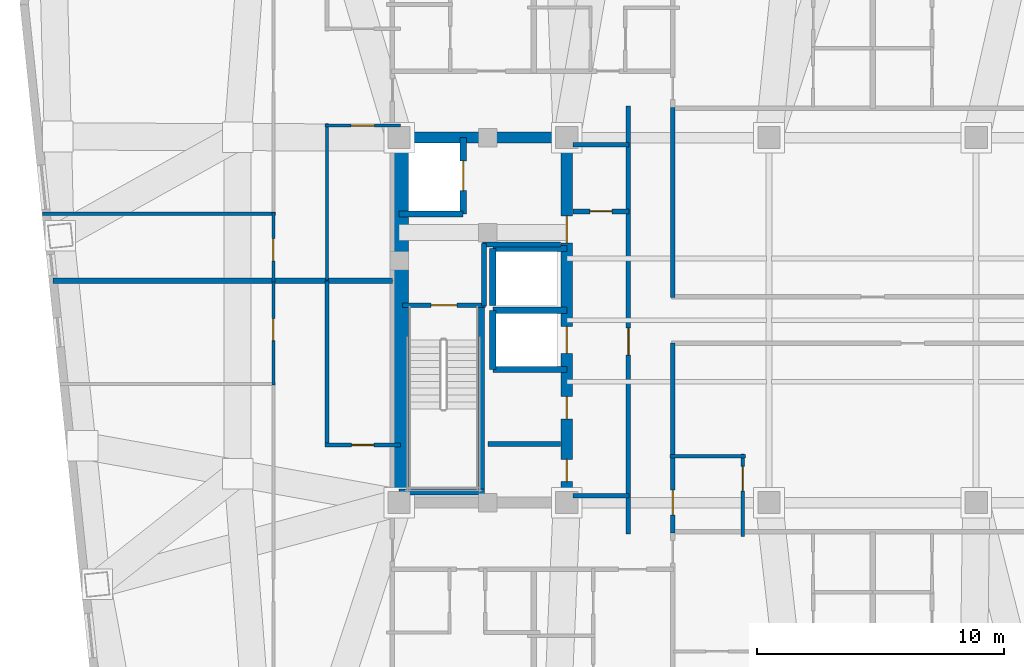
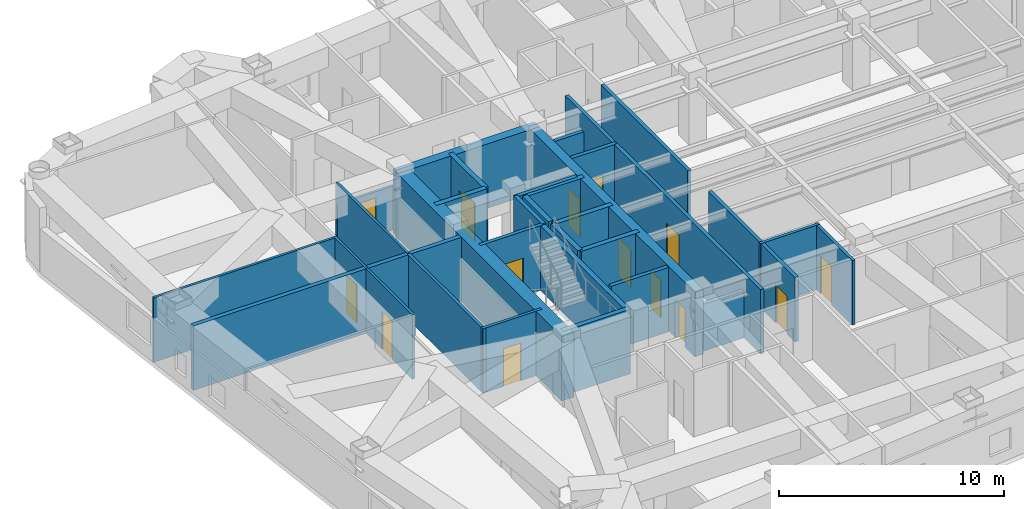
# One storey, part 5 of 13: 32 walls, 14 doors, 14 openings.
"""IFC4 building model written with IfcOpenShell, lengths in metres."""

from ifc_helpers import new_model, si_unit, direction, frame, frame_2d, origin, place, context, subcontext, project, spatial, rectangle, extrude, material, layer, layer_set, type_object, element, fill, save


model = new_model("IFC4")

# Units and contexts
model_context = context("Model", 3, precision=1e-05, world=origin(), true_north=direction((0.0, 1.0)))
body_context = subcontext(model_context, "Body", "Model", "MODEL_VIEW")
ifc_project = project(units=[si_unit("LENGTHUNIT", "METRE"), si_unit("AREAUNIT", "SQUARE_METRE"), si_unit("VOLUMEUNIT", "CUBIC_METRE"), si_unit("PLANEANGLEUNIT", "RADIAN"), si_unit("MASSUNIT", "GRAM", prefix="KILO")], contexts=[model_context])

# Site, building, storey
site_placement = place(None, origin())
site = spatial("IfcSite", under=ifc_project, at=site_placement, CompositionType="ELEMENT")
building_placement = place(site_placement, origin())
building = spatial("IfcBuilding", under=site, at=building_placement, Name="Voryun Gate Residences", CompositionType="ELEMENT")
storey_placement = place(building_placement, frame((0.0, 0.0, 191.10009765625)))
storey = spatial("IfcBuildingStorey", under=building, at=storey_placement, Name="L47", CompositionType="ELEMENT", Elevation=191.10009765625)

# Wall
ifc_material_1 = material(Name="Concrete C50/60", Category="concrete")
ifc_layer_1 = layer(ifc_material_1, 0.449951171875, Name="CW_CORE_450")
ifc_layer_set_1 = layer_set([ifc_layer_1], Name="Concrete C50/60")
wall_type_1 = type_object("IfcWallType", Name="CW_CORE_450", PredefinedType="SHEAR", material=ifc_layer_set_1)
wall_1_placement = place(storey_placement, frame((-19.425048828125, 7.39990234375, 0.0), z_axis=(0.0, 0.0, 1.0), x_axis=(1.0, 0.0, 0.0)))
element("IfcWall", 1, at=wall_1_placement, inside=storey, type_object=wall_type_1, Name="L47 Core shear wall CW-L47-WN", PredefinedType="SHEAR", context=body_context, shape_type="SweptSolid", body=[
    extrude(rectangle(XDim=7.25, YDim=0.449951171875, at=frame_2d((3.625, 0.0))), origin(), (0.0, 0.0, 1.0), 3.5),
])

# Wall, openings, doors
wall_2_placement = place(storey_placement, frame((-12.39990234375, -7.39990234375, 0.0), z_axis=(0.0, 0.0, 1.0), x_axis=(0.0, 1.0, 0.0)))
wall_2 = element("IfcWall", 2, at=wall_2_placement, inside=storey, type_object=wall_type_1, Name="L47 Core shear wall CW-L47-WE", PredefinedType="SHEAR", context=body_context, shape_type="SweptSolid", body=[
    extrude(rectangle(XDim=14.7998046875, YDim=0.449951171875, at=frame_2d((7.39990234375, 0.0))), origin(), (0.0, 0.0, 1.0), 3.5),
])
opening_1_placement = place(wall_2_placement, frame((6.050048828125, 0.0, 0.0)))
opening_1 = element("IfcOpeningElement", 3, at=opening_1_placement, cuts=wall_2, Name="Opening LD2", PredefinedType="OPENING", context=body_context, shape_type="SweptSolid", body=[
    extrude(rectangle(XDim=1.10009765625, YDim=2.050048828125, at=frame_2d((0.550048828125, 1.02490234375))), frame((0.0, 0.235107421875, 0.0), z_axis=(0.0, -1.0, 0.0), x_axis=(1.0, 0.0, 0.0)), (0.0, 0.0, 1.0), 0.469970703125),
])
opening_2_placement = place(wall_2_placement, frame((10.530029296875, 0.0, 0.0)))
opening_2 = element("IfcOpeningElement", 4, at=opening_2_placement, cuts=wall_2, Name="Opening D-FD60-2", PredefinedType="OPENING", context=body_context, shape_type="SweptSolid", body=[
    extrude(rectangle(XDim=1.10009765625, YDim=2.050048828125, at=frame_2d((0.550048828125, 1.02490234375))), frame((0.0, 0.235107421875, 0.0), z_axis=(0.0, -1.0, 0.0), x_axis=(1.0, 0.0, 0.0)), (0.0, 0.0, 1.0), 0.469970703125),
])
opening_3_placement = place(wall_2_placement, frame((0.85009765625, 0.0, 0.0)))
opening_3 = element("IfcOpeningElement", 5, at=opening_3_placement, cuts=wall_2, Name="Opening D-FD60-4", PredefinedType="OPENING", context=body_context, shape_type="SweptSolid", body=[
    extrude(rectangle(XDim=0.89990234375, YDim=2.050048828125, at=frame_2d((0.449951171875, 1.02490234375))), frame((0.0, 0.235107421875, 0.0), z_axis=(0.0, -1.0, 0.0), x_axis=(1.0, 0.0, 0.0)), (0.0, 0.0, 1.0), 0.469970703125),
])
opening_4_placement = place(wall_2_placement, frame((3.39990234375, 0.0, 0.0)))
opening_4 = element("IfcOpeningElement", 6, at=opening_4_placement, cuts=wall_2, Name="Opening D-FD60-4", PredefinedType="OPENING", context=body_context, shape_type="SweptSolid", body=[
    extrude(rectangle(XDim=0.89990234375, YDim=2.050048828125, at=frame_2d((0.449951171875, 1.02490234375))), frame((0.0, 0.235107421875, 0.0), z_axis=(0.0, -1.0, 0.0), x_axis=(1.0, 0.0, 0.0)), (0.0, 0.0, 1.0), 0.469970703125),
])
ifc_material_2 = material(Name="Painted steel fire door", Category="steel")
door_type_1 = type_object("IfcDoorType", Name="DR_FD60_FFLOB_1100", OperationType="NOTDEFINED", PredefinedType="DOOR", material=ifc_material_2)
door_1_placement = place(opening_2_placement, origin())
door_1 = element("IfcDoor", 7, at=door_1_placement, inside=storey, type_object=door_type_1, Name="Door DR-L47-CLOB-W", OperationType="SINGLE_SWING_LEFT", OverallHeight=2.050048828125, OverallWidth=1.10009765625, PredefinedType="DOOR", context=body_context, shape_type="SweptSolid", body=[
    extrude(rectangle(XDim=1.10009765625, YDim=2.050048828125, at=frame_2d((0.550048828125, 1.02490234375))), frame((0.0, 0.02490234375, 0.0), z_axis=(0.0, -1.0, 0.0), x_axis=(1.0, 0.0, 0.0)), (0.0, 0.0, 1.0), 0.050048828125),
])
fill(opening_2, door_1)
ifc_material_3 = material(Name="Painted steel fire door", Category="steel")
door_type_2 = type_object("IfcDoorType", Name="DR_FD60_RISER_900", OperationType="NOTDEFINED", PredefinedType="DOOR", material=ifc_material_3)
door_2_placement = place(opening_3_placement, origin())
door_2 = element("IfcDoor", 8, at=door_2_placement, inside=storey, type_object=door_type_2, Name="Door DR-L47-RECWB1", OperationType="SINGLE_SWING_LEFT", OverallHeight=2.050048828125, OverallWidth=0.89990234375, PredefinedType="DOOR", context=body_context, shape_type="SweptSolid", body=[
    extrude(rectangle(XDim=0.89990234375, YDim=2.050048828125, at=frame_2d((0.449951171875, 1.02490234375))), frame((0.0, 0.02490234375, 0.0), z_axis=(0.0, -1.0, 0.0), x_axis=(1.0, 0.0, 0.0)), (0.0, 0.0, 1.0), 0.050048828125),
])
fill(opening_3, door_2)
door_3_placement = place(opening_4_placement, origin())
door_3 = element("IfcDoor", 9, at=door_3_placement, inside=storey, type_object=door_type_2, Name="Door DR-L47-RECWB2", OperationType="SINGLE_SWING_RIGHT", OverallHeight=2.050048828125, OverallWidth=0.89990234375, PredefinedType="DOOR", context=body_context, shape_type="SweptSolid", body=[
    extrude(rectangle(XDim=0.89990234375, YDim=2.050048828125, at=frame_2d((0.449951171875, 1.02490234375))), frame((0.0, 0.02490234375, 0.0), z_axis=(0.0, -1.0, 0.0), x_axis=(1.0, 0.0, 0.0)), (0.0, 0.0, 1.0), 0.050048828125),
])
fill(opening_4, door_3)
ifc_material_4 = material(Name="Anodised aluminium", Category="aluminium")
door_type_3 = type_object("IfcDoorType", Name="DR_LD_PASS_1100", OperationType="NOTDEFINED", PredefinedType="DOOR", material=ifc_material_4)
door_4_placement = place(opening_1_placement, origin())
door_4 = element("IfcDoor", 10, at=door_4_placement, inside=storey, type_object=door_type_3, Name="Lift EL-P4 sliding landing door L47", OperationType="SLIDING_TO_LEFT", OverallHeight=2.050048828125, OverallWidth=1.10009765625, PredefinedType="DOOR", context=body_context, shape_type="SweptSolid", body=[
    extrude(rectangle(XDim=1.10009765625, YDim=2.050048828125, at=frame_2d((0.550048828125, 1.02490234375))), frame((0.0, 0.02490234375, 0.0), z_axis=(0.0, -1.0, 0.0), x_axis=(1.0, 0.0, 0.0)), (0.0, 0.0, 1.0), 0.050048828125),
])
fill(opening_1, door_4)

# Wall
ifc_material_5 = material(Name="Concrete C60/75", Category="concrete")
ifc_layer_2 = layer(ifc_material_5, 0.64990234375, Name="CW_CORE_650")
ifc_layer_set_2 = layer_set([ifc_layer_2], Name="Concrete C60/75")
wall_type_2 = type_object("IfcWallType", Name="CW_CORE_650", PredefinedType="SHEAR", material=ifc_layer_set_2)
wall_3_placement = place(storey_placement, frame((-19.14501953125, -7.39990234375, 0.0), z_axis=(0.0, 0.0, 1.0), x_axis=(0.0, 1.0, 0.0)))
element("IfcWall", 11, at=wall_3_placement, inside=storey, type_object=wall_type_2, Name="L47 Core shear wall CW-L47-WW", PredefinedType="SHEAR", context=body_context, shape_type="SweptSolid", body=[
    extrude(rectangle(XDim=14.7998046875, YDim=0.64990234375, at=frame_2d((7.39990234375, 0.0))), origin(), (0.0, 0.0, 1.0), 3.5),
])

# Wall, opening, door
ifc_material_6 = material(Name="Gypsum acoustic fireboard")
ifc_layer_3 = layer(ifc_material_6, 0.179931640625, Name="W_CORR_RATED_180")
ifc_layer_set_3 = layer_set([ifc_layer_3], Name="Gypsum acoustic fireboard")
wall_type_3 = type_object("IfcWallType", Name="W_CORR_RATED_180", PredefinedType="PARTITIONING", material=ifc_layer_set_3)
wall_4_placement = place(storey_placement, frame((-19.06005859375, 0.60009765625, 0.0), z_axis=(0.0, 0.0, 1.0), x_axis=(1.0, 0.0, 0.0)))
wall_4 = element("IfcWall", 12, at=wall_4_placement, inside=storey, type_object=wall_type_3, Name="Partition wall WP-L47-STV-W", PredefinedType="PARTITIONING", context=body_context, shape_type="SweptSolid", body=[
    extrude(rectangle(XDim=3.360107421875, YDim=0.179931640625, at=frame_2d((1.68017578125, 0.0))), origin(), (0.0, 0.0, 1.0), 3.5),
])
opening_5_placement = place(wall_4_placement, frame((1.155029296875, 0.0, 0.0)))
opening_5 = element("IfcOpeningElement", 13, at=opening_5_placement, cuts=wall_4, Name="Opening D-FD60-1", PredefinedType="OPENING", context=body_context, shape_type="SweptSolid", body=[
    extrude(rectangle(XDim=1.050048828125, YDim=2.050048828125, at=frame_2d((0.52490234375, 1.02490234375))), frame((0.0, 0.099853515625, 0.0), z_axis=(0.0, -1.0, 0.0), x_axis=(1.0, 0.0, 0.0)), (0.0, 0.0, 1.0), 0.199951171875),
])
ifc_material_7 = material(Name="Painted steel fire door", Category="steel")
door_type_4 = type_object("IfcDoorType", Name="DR_FD60_STAIR_1050", OperationType="NOTDEFINED", PredefinedType="DOOR", material=ifc_material_7)
door_5_placement = place(opening_5_placement, origin())
door_5 = element("IfcDoor", 14, at=door_5_placement, inside=storey, type_object=door_type_4, Name="Door DR-L47-ST-W", OperationType="SINGLE_SWING_LEFT", OverallHeight=2.050048828125, OverallWidth=1.050048828125, PredefinedType="DOOR", context=body_context, shape_type="SweptSolid", body=[
    extrude(rectangle(XDim=1.050048828125, YDim=2.050048828125, at=frame_2d((0.52490234375, 1.02490234375))), frame((0.0, 0.02490234375, 0.0), z_axis=(0.0, -1.0, 0.0), x_axis=(1.0, 0.0, 0.0)), (0.0, 0.0, 1.0), 0.050048828125),
])
fill(opening_5, door_5)

# Walls
for number, where, z_axis, x_axis, name in (
    (15, (-12.14990234375, 7.1201171875, 0.0), (0.0, 0.0, 1.0), (1.0, 0.0, 0.0), "Partition wall WP-L47-PLBN-W"),
    (16, (-12.14990234375, -7.1201171875, 0.0), (0.0, 0.0, 1.0), (1.0, 0.0, 0.0), "Partition wall WP-L47-PLBS-W"),
):
    element("IfcWall", number, at=place(storey_placement, frame(where, z_axis=z_axis, x_axis=x_axis)), inside=storey, type_object=wall_type_3, Name=name, PredefinedType="PARTITIONING", context=body_context, shape_type="SweptSolid", body=[
        extrude(rectangle(XDim=2.27001953125, YDim=0.179931640625, at=frame_2d((1.135009765625, 0.0))), origin(), (0.0, 0.0, 1.0), 2.539794921875),
    ])

# Wall, opening, door
wall_5_placement = place(storey_placement, frame((-9.89990234375, -8.679931640625, 0.0), z_axis=(0.0, 0.0, 1.0), x_axis=(0.0, 1.0, 0.0)))
wall_5 = element("IfcWall", 17, at=wall_5_placement, inside=storey, type_object=wall_type_3, Name="Partition wall WP-L47-PLBW-FULL", PredefinedType="PARTITIONING", context=body_context, shape_type="SweptSolid", body=[
    extrude(rectangle(XDim=17.35986328125, YDim=0.179931640625, at=frame_2d((8.679931640625, 0.0))), origin(), (0.0, 0.0, 1.0), 3.5),
])
opening_6_placement = place(wall_5_placement, frame((7.261962890625, 0.0, 0.0)))
opening_6 = element("IfcOpeningElement", 18, at=opening_6_placement, cuts=wall_5, Name="Opening D-FD60-2", PredefinedType="OPENING", context=body_context, shape_type="SweptSolid", body=[
    extrude(rectangle(XDim=1.10009765625, YDim=2.050048828125, at=frame_2d((0.550048828125, 1.02490234375))), frame((0.0, 0.099853515625, 0.0), z_axis=(0.0, -1.0, 0.0), x_axis=(1.0, 0.0, 0.0)), (0.0, 0.0, 1.0), 0.199951171875),
])
door_6_placement = place(opening_6_placement, origin())
door_6 = element("IfcDoor", 19, at=door_6_placement, inside=storey, type_object=door_type_1, Name="Door DR-L47-PLBW-COR", OperationType="SINGLE_SWING_LEFT", OverallHeight=2.050048828125, OverallWidth=1.10009765625, PredefinedType="DOOR", context=body_context, shape_type="SweptSolid", body=[
    extrude(rectangle(XDim=1.10009765625, YDim=2.050048828125, at=frame_2d((0.550048828125, 1.02490234375))), frame((0.0, 0.02490234375, 0.0), z_axis=(0.0, -1.0, 0.0), x_axis=(1.0, 0.0, 0.0)), (0.0, 0.0, 1.0), 0.050048828125),
])
fill(opening_6, door_6)

# Wall
wall_6_placement = place(storey_placement, frame((-8.10009765625, 0.919921875, 0.0), z_axis=(0.0, 0.0, 1.0), x_axis=(0.0, 1.0, 0.0)))
element("IfcWall", 20, at=wall_6_placement, inside=storey, type_object=wall_type_3, Name="Partition wall WP-L47-Z2WL1", PredefinedType="PARTITIONING", context=body_context, shape_type="SweptSolid", body=[
    extrude(rectangle(XDim=7.7099609375, YDim=0.179931640625, at=frame_2d((3.85498046875, 0.0))), origin(), (0.0, 0.0, 1.0), 3.5),
])

# Wall, opening, door
wall_7_placement = place(storey_placement, frame((-8.10009765625, -8.6298828125, 0.0), z_axis=(0.0, 0.0, 1.0), x_axis=(0.0, 1.0, 0.0)))
wall_7 = element("IfcWall", 21, at=wall_7_placement, inside=storey, type_object=wall_type_3, Name="Partition wall WP-L47-Z2WL2", PredefinedType="PARTITIONING", context=body_context, shape_type="SweptSolid", body=[
    extrude(rectangle(XDim=7.7099609375, YDim=0.179931640625, at=frame_2d((3.85498046875, 0.0))), origin(), (0.0, 0.0, 1.0), 3.5),
])
opening_7_placement = place(wall_7_placement, frame((0.733642578125, 0.0, 0.0)))
opening_7 = element("IfcOpeningElement", 22, at=opening_7_placement, cuts=wall_7, Name="Opening D-AWC-1", PredefinedType="OPENING", context=body_context, shape_type="SweptSolid", body=[
    extrude(rectangle(XDim=1.0, YDim=2.050048828125, at=frame_2d((0.5, 1.02490234375))), frame((0.0, 0.099853515625, 0.0), z_axis=(0.0, -1.0, 0.0), x_axis=(1.0, 0.0, 0.0)), (0.0, 0.0, 1.0), 0.199951171875),
])
ifc_material_8 = material(Name="Architectural oak veneer")
door_type_5 = type_object("IfcDoorType", Name="DR_ACC_WC_1000", OperationType="NOTDEFINED", PredefinedType="DOOR", material=ifc_material_8)
door_7_placement = place(opening_7_placement, origin())
door_7 = element("IfcDoor", 23, at=door_7_placement, inside=storey, type_object=door_type_5, Name="Door DR-L47-CMWC-D", OperationType="SINGLE_SWING_LEFT", OverallHeight=2.050048828125, OverallWidth=1.0, PredefinedType="DOOR", context=body_context, shape_type="SweptSolid", body=[
    extrude(rectangle(XDim=1.0, YDim=2.050048828125, at=frame_2d((0.5, 1.02490234375))), frame((0.0, 0.02490234375, 0.0), z_axis=(0.0, -1.0, 0.0), x_axis=(1.0, 0.0, 0.0)), (0.0, 0.0, 1.0), 0.050048828125),
])
fill(opening_7, door_7)

# Walls
ifc_material_9 = material(Name="Concrete C40/50", Category="concrete")
ifc_layer_4 = layer(ifc_material_9, 0.199951171875, Name="W_FF_LOBBY_200")
ifc_layer_set_4 = layer_set([ifc_layer_4], Name="Concrete C40/50")
wall_type_4 = type_object("IfcWallType", Name="W_FF_LOBBY_200", PredefinedType="PARTITIONING", material=ifc_layer_set_4)
wall_8_placement = place(storey_placement, frame((-15.760009765625, 0.580078125, 0.0), z_axis=(0.0, 0.0, 1.0), x_axis=(0.0, 1.0, 0.0)))
element("IfcWall", 24, at=wall_8_placement, inside=storey, type_object=wall_type_4, Name="Partition wall WP-L47-FFP0-W", PredefinedType="PARTITIONING", context=body_context, shape_type="SweptSolid", body=[
    extrude(rectangle(XDim=2.52001953125, YDim=0.199951171875, at=frame_2d((1.260009765625, 0.0))), origin(), (0.0, 0.0, 1.0), 3.5),
])
wall_9_placement = place(storey_placement, frame((-15.820068359375, 3.06005859375, 0.0), z_axis=(0.0, 0.0, 1.0), x_axis=(1.0, 0.0, 0.0)))
element("IfcWall", 25, at=wall_9_placement, inside=storey, type_object=wall_type_4, Name="Partition wall WP-L47-FFPS-W", PredefinedType="PARTITIONING", context=body_context, shape_type="SweptSolid", body=[
    extrude(rectangle(XDim=3.16015625, YDim=0.199951171875, at=frame_2d((1.580078125, 0.0))), origin(), (0.0, 0.0, 1.0), 3.5),
])
wall_10_placement = place(storey_placement, frame((-15.60009765625, -5.030029296875, 0.0), z_axis=(0.0, 0.0, 1.0), x_axis=(1.0, 0.0, 0.0)))
element("IfcWall", 26, at=wall_10_placement, inside=storey, type_object=wall_type_4, Name="Partition wall WP-L47-RECWB", PredefinedType="PARTITIONING", context=body_context, shape_type="SweptSolid", body=[
    extrude(rectangle(XDim=2.940185546875, YDim=0.199951171875, at=frame_2d((1.47021484375, 0.0))), origin(), (0.0, 0.0, 1.0), 3.5),
])

# Wall, opening, door
wall_11_placement = place(storey_placement, frame((-12.14990234375, 4.409912109375, 0.0), z_axis=(0.0, 0.0, 1.0), x_axis=(1.0, 0.0, 0.0)))
wall_11 = element("IfcWall", 27, at=wall_11_placement, inside=storey, type_object=wall_type_4, Name="Partition wall WP-L47-CSFLKS-W", PredefinedType="PARTITIONING", context=body_context, shape_type="SweptSolid", body=[
    extrude(rectangle(XDim=2.27001953125, YDim=0.199951171875, at=frame_2d((1.135009765625, 0.0))), origin(), (0.0, 0.0, 1.0), 3.5),
])
opening_8_placement = place(wall_11_placement, frame((0.68505859375, 0.0, 0.0)))
opening_8 = element("IfcOpeningElement", 28, at=opening_8_placement, cuts=wall_11, Name="Opening D-FD60-4", PredefinedType="OPENING", context=body_context, shape_type="SweptSolid", body=[
    extrude(rectangle(XDim=0.89990234375, YDim=2.050048828125, at=frame_2d((0.449951171875, 1.02490234375))), frame((0.0, 0.110107421875, 0.0), z_axis=(0.0, -1.0, 0.0), x_axis=(1.0, 0.0, 0.0)), (0.0, 0.0, 1.0), 0.219970703125),
])
door_8_placement = place(opening_8_placement, origin())
door_8 = element("IfcDoor", 29, at=door_8_placement, inside=storey, type_object=door_type_2, Name="Door DR-L47-CSFLK-W", OperationType="SINGLE_SWING_LEFT", OverallHeight=2.050048828125, OverallWidth=0.89990234375, PredefinedType="DOOR", context=body_context, shape_type="SweptSolid", body=[
    extrude(rectangle(XDim=0.89990234375, YDim=2.050048828125, at=frame_2d((0.449951171875, 1.02490234375))), frame((0.0, 0.02490234375, 0.0), z_axis=(0.0, -1.0, 0.0), x_axis=(1.0, 0.0, 0.0)), (0.0, 0.0, 1.0), 0.050048828125),
])
fill(opening_8, door_8)

# Walls
ifc_material_10 = material(Name="Concrete C40/50", Category="concrete")
ifc_layer_5 = layer(ifc_material_10, 0.219970703125, Name="W_PARTY_ACOUSTIC_220")
ifc_layer_set_5 = layer_set([ifc_layer_5], Name="Concrete C40/50")
wall_type_5 = type_object("IfcWallType", Name="W_PARTY_ACOUSTIC_220", PredefinedType="PARTITIONING", material=ifc_layer_set_5)
wall_12_placement = place(storey_placement, frame((-19.469970703125, 1.60009765625, 0.0), z_axis=(0.0, 0.0, 1.0), x_axis=(-1.0, 0.0, 0.0)))
element("IfcWall", 30, at=wall_12_placement, inside=storey, type_object=wall_type_5, Name="Partition wall WP-L47-WPTY", PredefinedType="PARTITIONING", context=body_context, shape_type="SweptSolid", body=[
    extrude(rectangle(XDim=13.75439453125, YDim=0.219970703125, at=frame_2d((6.877197265625, 0.0))), origin(), (0.0, 0.0, 1.0), 3.5),
])
ifc_material_11 = material(Name="Concrete C50/60", Category="concrete")
ifc_layer_6 = layer(ifc_material_11, 0.25, Name="W_SHAFT_RC250")
ifc_layer_set_6 = layer_set([ifc_layer_6], Name="Concrete C50/60")
wall_type_6 = type_object("IfcWallType", Name="W_SHAFT_RC250", PredefinedType="SOLIDWALL", material=ifc_layer_set_6)
wall_13_placement = place(storey_placement, frame((-15.860107421875, -7.0849609375, 0.0), z_axis=(0.0, 0.0, 1.0), x_axis=(0.0, 1.0, 0.0)))
element("IfcWall", 31, at=wall_13_placement, inside=storey, type_object=wall_type_6, Name="L47 Stair shaft structural wall W-STR", PredefinedType="SOLIDWALL", context=body_context, shape_type="SweptSolid", body=[
    extrude(rectangle(XDim=7.68505859375, YDim=0.25, at=frame_2d((3.842529296875, 0.0))), origin(), (0.0, 0.0, 1.0), 3.5),
])
wall_14_placement = place(storey_placement, frame((-19.199951171875, -6.965087890625, 0.0), z_axis=(0.0, 0.0, 1.0), x_axis=(1.0, 0.0, 0.0)))
element("IfcWall", 32, at=wall_14_placement, inside=storey, type_object=wall_type_6, Name="L47 Stair shaft structural wall W-STS", PredefinedType="SOLIDWALL", context=body_context, shape_type="SweptSolid", body=[
    extrude(rectangle(XDim=3.4599609375, YDim=0.25, at=frame_2d((1.72998046875, 0.0))), origin(), (0.0, 0.0, 1.0), 3.5),
])
wall_15_placement = place(storey_placement, frame((-19.199951171875, 4.300048828125, 0.0), z_axis=(0.0, 0.0, 1.0), x_axis=(1.0, 0.0, 0.0)))
element("IfcWall", 33, at=wall_15_placement, inside=storey, type_object=wall_type_6, Name="Lift shaft wall WSH-L47-EL-FF-W1-S", PredefinedType="SOLIDWALL", context=body_context, shape_type="SweptSolid", body=[
    extrude(rectangle(XDim=2.599853515625, YDim=0.25, at=frame_2d((1.2998046875, 0.0))), origin(), (0.0, 0.0, 1.0), 3.5),
])

# Wall, opening, door
wall_16_placement = place(storey_placement, frame((-16.60009765625, 4.300048828125, 0.0), z_axis=(0.0, 0.0, 1.0), x_axis=(0.0, 1.0, 0.0)))
wall_16 = element("IfcWall", 34, at=wall_16_placement, inside=storey, type_object=wall_type_6, Name="Lift shaft wall WSH-L47-EL-FF-W1-E", PredefinedType="SOLIDWALL", context=body_context, shape_type="SweptSolid", body=[
    extrude(rectangle(XDim=3.099853515625, YDim=0.25, at=frame_2d((1.5498046875, 0.0))), origin(), (0.0, 0.0, 1.0), 3.5),
])
opening_9_placement = place(wall_16_placement, frame((0.949951171875, 0.0, 0.0)))
opening_9 = element("IfcOpeningElement", 35, at=opening_9_placement, cuts=wall_16, Name="Opening LD1", PredefinedType="OPENING", context=body_context, shape_type="SweptSolid", body=[
    extrude(rectangle(XDim=1.199951171875, YDim=2.050048828125, at=frame_2d((0.60009765625, 1.02490234375))), frame((0.0, 0.135009765625, 0.0), z_axis=(0.0, -1.0, 0.0), x_axis=(1.0, 0.0, 0.0)), (0.0, 0.0, 1.0), 0.27001953125),
])
ifc_material_12 = material(Name="Anodised aluminium", Category="aluminium")
door_type_6 = type_object("IfcDoorType", Name="DR_LD_FF_1200", OperationType="NOTDEFINED", PredefinedType="DOOR", material=ifc_material_12)
door_9_placement = place(opening_9_placement, origin())
door_9 = element("IfcDoor", 36, at=door_9_placement, inside=storey, type_object=door_type_6, Name="Lift EL-FF-W1 sliding landing door L47", OperationType="SLIDING_TO_LEFT", OverallHeight=2.050048828125, OverallWidth=1.199951171875, PredefinedType="DOOR", context=body_context, shape_type="SweptSolid", body=[
    extrude(rectangle(XDim=1.199951171875, YDim=2.050048828125, at=frame_2d((0.60009765625, 1.02490234375))), frame((0.0, 0.02490234375, 0.0), z_axis=(0.0, -1.0, 0.0), x_axis=(1.0, 0.0, 0.0)), (0.0, 0.0, 1.0), 0.050048828125),
])
fill(opening_9, door_9)

# Walls
for number, where, z_axis, x_axis, name in (
    (37, (-15.39990234375, -2.0, 0.0), (0.0, 0.0, 1.0), (1.0, 0.0, 0.0), "Lift shaft wall WSH-L47-EL-P4-S"),
    (38, (-12.39990234375, 0.39990234375, 0.0), (0.0, 0.0, 1.0), (-1.0, 0.0, 0.0), "Lift shaft wall WSH-L47-EL-P4-N"),
):
    element("IfcWall", number, at=place(storey_placement, frame(where, z_axis=z_axis, x_axis=x_axis)), inside=storey, type_object=wall_type_6, Name=name, PredefinedType="SOLIDWALL", context=body_context, shape_type="SweptSolid", body=[
        extrude(rectangle(XDim=3.0, YDim=0.25, at=frame_2d((1.5, 0.0))), origin(), (0.0, 0.0, 1.0), 3.5),
    ])
wall_17_placement = place(storey_placement, frame((-15.39990234375, 0.39990234375, 0.0), z_axis=(0.0, 0.0, 1.0), x_axis=(0.0, -1.0, 0.0)))
element("IfcWall", 39, at=wall_17_placement, inside=storey, type_object=wall_type_6, Name="Lift shaft wall WSH-L47-EL-P4-W", PredefinedType="SOLIDWALL", context=body_context, shape_type="SweptSolid", body=[
    extrude(rectangle(XDim=2.39990234375, YDim=0.25, at=frame_2d((1.199951171875, 0.0))), origin(), (0.0, 0.0, 1.0), 3.5),
])
wall_18_placement = place(storey_placement, frame((-12.39990234375, 2.89990234375, 0.0), z_axis=(0.0, 0.0, 1.0), x_axis=(-1.0, 0.0, 0.0)))
element("IfcWall", 40, at=wall_18_placement, inside=storey, type_object=wall_type_6, Name="Lift shaft wall WSH-L47-EL-P7-N", PredefinedType="SOLIDWALL", context=body_context, shape_type="SweptSolid", body=[
    extrude(rectangle(XDim=3.0, YDim=0.25, at=frame_2d((1.5, 0.0))), origin(), (0.0, 0.0, 1.0), 3.5),
])
wall_19_placement = place(storey_placement, frame((-15.39990234375, 2.89990234375, 0.0), z_axis=(0.0, 0.0, 1.0), x_axis=(0.0, -1.0, 0.0)))
element("IfcWall", 41, at=wall_19_placement, inside=storey, type_object=wall_type_6, Name="Lift shaft wall WSH-L47-EL-P7-W", PredefinedType="SOLIDWALL", context=body_context, shape_type="SweptSolid", body=[
    extrude(rectangle(XDim=2.2998046875, YDim=0.25, at=frame_2d((1.14990234375, 0.0))), origin(), (0.0, 0.0, 1.0), 3.5),
])

# Wall, opening, door
ifc_material_13 = material(Name="Gypsum acoustic partition")
ifc_layer_7 = layer(ifc_material_13, 0.125, Name="W_UNIT_PART_125")
ifc_layer_set_7 = layer_set([ifc_layer_7], Name="Gypsum acoustic partition")
wall_type_7 = type_object("IfcWallType", Name="W_UNIT_PART_125", PredefinedType="PARTITIONING", material=ifc_layer_set_7)
wall_20_placement = place(storey_placement, frame((-24.300048828125, -2.632080078125, 0.0), z_axis=(0.0, 0.0, 1.0), x_axis=(0.0, 1.0, 0.0)))
wall_20 = element("IfcWall", 42, at=wall_20_placement, inside=storey, type_object=wall_type_7, Name="Partition wall WP-L47-W1-OVX3", PredefinedType="PARTITIONING", context=body_context, shape_type="SweptSolid", body=[
    extrude(rectangle(XDim=4.294677734375, YDim=0.125, at=frame_2d((2.1474609375, 0.0))), origin(), (0.0, 0.0, 1.0), 3.5),
])
opening_10_placement = place(wall_20_placement, frame((1.7958984375, 0.0, 0.0)))
opening_10 = element("IfcOpeningElement", 43, at=opening_10_placement, cuts=wall_20, Name="Opening D-INT-2", PredefinedType="OPENING", context=body_context, shape_type="SweptSolid", body=[
    extrude(rectangle(XDim=0.89990234375, YDim=2.050048828125, at=frame_2d((0.449951171875, 1.02490234375))), frame((0.0, 0.072509765625, 0.0), z_axis=(0.0, -1.0, 0.0), x_axis=(1.0, 0.0, 0.0)), (0.0, 0.0, 1.0), 0.14501953125),
])
ifc_material_14 = material(Name="Architectural oak veneer")
door_type_7 = type_object("IfcDoorType", Name="DR_INT_BATH_900", OperationType="NOTDEFINED", PredefinedType="DOOR", material=ifc_material_14)
door_10_placement = place(opening_10_placement, origin())
door_10 = element("IfcDoor", 44, at=door_10_placement, inside=storey, type_object=door_type_7, Name="Door DR-L47-W1-DMB", OperationType="SINGLE_SWING_LEFT", OverallHeight=2.050048828125, OverallWidth=0.89990234375, PredefinedType="DOOR", context=body_context, shape_type="SweptSolid", body=[
    extrude(rectangle(XDim=0.89990234375, YDim=2.050048828125, at=frame_2d((0.449951171875, 1.02490234375))), frame((0.0, 0.02490234375, 0.0), z_axis=(0.0, -1.0, 0.0), x_axis=(1.0, 0.0, 0.0)), (0.0, 0.0, 1.0), 0.050048828125),
])
fill(opening_10, door_10)

# Wall
wall_21_placement = place(storey_placement, frame((-33.66064453125, 4.31494140625, 0.0), z_axis=(0.0, 0.0, 1.0), x_axis=(1.0, 0.0, 0.0)))
element("IfcWall", 45, at=wall_21_placement, inside=storey, type_object=wall_type_7, Name="Partition wall WP-L47-W2-OH1", PredefinedType="PARTITIONING", context=body_context, shape_type="SweptSolid", body=[
    extrude(rectangle(XDim=9.440673828125, YDim=0.125, at=frame_2d((4.72021484375, 0.0))), origin(), (0.0, 0.0, 1.0), 3.5),
])

# Wall, opening, door
wall_22_placement = place(storey_placement, frame((-24.300048828125, 1.53759765625, 0.0), z_axis=(0.0, 0.0, 1.0), x_axis=(0.0, 1.0, 0.0)))
wall_22 = element("IfcWall", 46, at=wall_22_placement, inside=storey, type_object=wall_type_7, Name="Partition wall WP-L47-W2-OVX1", PredefinedType="PARTITIONING", context=body_context, shape_type="SweptSolid", body=[
    extrude(rectangle(XDim=2.827392578125, YDim=0.125, at=frame_2d((1.41357421875, 0.0))), origin(), (0.0, 0.0, 1.0), 3.5),
])
opening_11_placement = place(wall_22_placement, frame((0.864990234375, 0.0, 0.0)))
opening_11 = element("IfcOpeningElement", 47, at=opening_11_placement, cuts=wall_22, Name="Opening D-INT-2", PredefinedType="OPENING", context=body_context, shape_type="SweptSolid", body=[
    extrude(rectangle(XDim=0.89990234375, YDim=2.050048828125, at=frame_2d((0.449951171875, 1.02490234375))), frame((0.0, 0.072509765625, 0.0), z_axis=(0.0, -1.0, 0.0), x_axis=(1.0, 0.0, 0.0)), (0.0, 0.0, 1.0), 0.14501953125),
])
door_11_placement = place(opening_11_placement, origin())
door_11 = element("IfcDoor", 48, at=door_11_placement, inside=storey, type_object=door_type_7, Name="Door DR-L47-W2-DBD2", OperationType="SINGLE_SWING_LEFT", OverallHeight=2.050048828125, OverallWidth=0.89990234375, PredefinedType="DOOR", context=body_context, shape_type="SweptSolid", body=[
    extrude(rectangle(XDim=0.89990234375, YDim=2.050048828125, at=frame_2d((0.449951171875, 1.02490234375))), frame((0.0, 0.02490234375, 0.0), z_axis=(0.0, -1.0, 0.0), x_axis=(1.0, 0.0, 0.0)), (0.0, 0.0, 1.0), 0.050048828125),
])
fill(opening_11, door_11)

wall_23_placement = place(storey_placement, frame((-22.199951171875, 7.884033203125, 0.0), z_axis=(0.0, 0.0, 1.0), x_axis=(1.0, 0.0, 0.0)))
wall_23 = element("IfcWall", 49, at=wall_23_placement, inside=storey, type_object=wall_type_7, Name="Partition wall WP-L47-W2-IKA", PredefinedType="PARTITIONING", context=body_context, shape_type="SweptSolid", body=[
    extrude(rectangle(XDim=3.050048828125, YDim=0.125, at=frame_2d((1.52490234375, 0.0))), origin(), (0.0, 0.0, 1.0), 2.389892578125),
])
opening_12_placement = place(wall_23_placement, frame((1.050048828125, 0.0, 0.0)))
opening_12 = element("IfcOpeningElement", 50, at=opening_12_placement, cuts=wall_23, Name="Opening D-INT-1", PredefinedType="OPENING", context=body_context, shape_type="SweptSolid", body=[
    extrude(rectangle(XDim=0.949951171875, YDim=2.050048828125, at=frame_2d((0.47509765625, 1.02490234375))), frame((0.0, 0.072509765625, 0.0), z_axis=(0.0, -1.0, 0.0), x_axis=(1.0, 0.0, 0.0)), (0.0, 0.0, 1.0), 0.14501953125),
])
ifc_material_15 = material(Name="Architectural oak veneer")
door_type_8 = type_object("IfcDoorType", Name="DR_INT_ROOM_950", OperationType="NOTDEFINED", PredefinedType="DOOR", material=ifc_material_15)
door_12_placement = place(opening_12_placement, origin())
door_12 = element("IfcDoor", 51, at=door_12_placement, inside=storey, type_object=door_type_8, Name="Door DR-L47-W2-DK", OperationType="SINGLE_SWING_LEFT", OverallHeight=2.050048828125, OverallWidth=0.949951171875, PredefinedType="DOOR", context=body_context, shape_type="SweptSolid", body=[
    extrude(rectangle(XDim=0.949951171875, YDim=2.050048828125, at=frame_2d((0.47509765625, 1.02490234375))), frame((0.0, 0.02490234375, 0.0), z_axis=(0.0, -1.0, 0.0), x_axis=(1.0, 0.0, 0.0)), (0.0, 0.0, 1.0), 0.050048828125),
])
fill(opening_12, door_12)

# Wall
wall_24_placement = place(storey_placement, frame((-22.1201171875, 1.6201171875, 0.0), z_axis=(0.0, 0.0, 1.0), x_axis=(0.0, 1.0, 0.0)))
element("IfcWall", 52, at=wall_24_placement, inside=storey, type_object=wall_type_7, Name="Partition wall WP-L47-W2-VTA", PredefinedType="PARTITIONING", context=body_context, shape_type="SweptSolid", body=[
    extrude(rectangle(XDim=6.343994140625, YDim=0.125, at=frame_2d((3.171875, 0.0))), origin(), (0.0, 0.0, 1.0), 3.5),
])

# Wall, opening, door
ifc_material_16 = material(Name="Gypsum moisture-resistant partition")
ifc_layer_8 = layer(ifc_material_16, 0.14990234375, Name="W_WET_PLUMB_150")
ifc_layer_set_8 = layer_set([ifc_layer_8], Name="Gypsum moisture-resistant partition")
wall_type_8 = type_object("IfcWallType", Name="W_WET_PLUMB_150", PredefinedType="PLUMBINGWALL", material=ifc_layer_set_8)
wall_25_placement = place(storey_placement, frame((-5.260009765625, -8.77001953125, 0.0), z_axis=(0.0, 0.0, 1.0), x_axis=(0.0, 1.0, 0.0)))
wall_25 = element("IfcWall", 53, at=wall_25_placement, inside=storey, type_object=wall_type_8, Name="Partition wall WP-L47-CMWCX", PredefinedType="PLUMBINGWALL", context=body_context, shape_type="SweptSolid", body=[
    extrude(rectangle(XDim=3.35009765625, YDim=0.14990234375, at=frame_2d((1.675048828125, 0.0))), origin(), (0.0, 0.0, 1.0), 3.5),
])
opening_13_placement = place(wall_25_placement, frame((1.8349609375, 0.0, 0.0)))
opening_13 = element("IfcOpeningElement", 54, at=opening_13_placement, cuts=wall_25, Name="Opening D-AWC-1", PredefinedType="OPENING", context=body_context, shape_type="SweptSolid", body=[
    extrude(rectangle(XDim=1.0, YDim=2.050048828125, at=frame_2d((0.5, 1.02490234375))), frame((0.0, 0.0849609375, 0.0), z_axis=(0.0, -1.0, 0.0), x_axis=(1.0, 0.0, 0.0)), (0.0, 0.0, 1.0), 0.169921875),
])
door_13_placement = place(opening_13_placement, origin())
door_13 = element("IfcDoor", 55, at=door_13_placement, inside=storey, type_object=door_type_5, Name="Door DR-L47-CMWC", OperationType="SINGLE_SWING_LEFT", OverallHeight=2.050048828125, OverallWidth=1.0, PredefinedType="DOOR", context=body_context, shape_type="SweptSolid", body=[
    extrude(rectangle(XDim=1.0, YDim=2.050048828125, at=frame_2d((0.5, 1.02490234375))), frame((0.0, 0.02490234375, 0.0), z_axis=(0.0, -1.0, 0.0), x_axis=(1.0, 0.0, 0.0)), (0.0, 0.0, 1.0), 0.050048828125),
])
fill(opening_13, door_13)

# Wall
wall_26_placement = place(storey_placement, frame((-8.2099609375, -5.52001953125, 0.0), z_axis=(0.0, 0.0, 1.0), x_axis=(1.0, 0.0, 0.0)))
element("IfcWall", 56, at=wall_26_placement, inside=storey, type_object=wall_type_8, Name="Partition wall WP-L47-CMWCY", PredefinedType="PLUMBINGWALL", context=body_context, shape_type="SweptSolid", body=[
    extrude(rectangle(XDim=3.050048828125, YDim=0.14990234375, at=frame_2d((1.52490234375, 0.0))), origin(), (0.0, 0.0, 1.0), 3.5),
])

# Wall, opening, door
wall_27_placement = place(storey_placement, frame((-22.199951171875, -5.06005859375, 0.0), z_axis=(0.0, 0.0, 1.0), x_axis=(1.0, 0.0, 0.0)))
wall_27 = element("IfcWall", 57, at=wall_27_placement, inside=storey, type_object=wall_type_8, Name="Partition wall WP-L47-W1-IBB", PredefinedType="PLUMBINGWALL", context=body_context, shape_type="SweptSolid", body=[
    extrude(rectangle(XDim=3.050048828125, YDim=0.14990234375, at=frame_2d((1.52490234375, 0.0))), origin(), (0.0, 0.0, 1.0), 3.5),
])
opening_14_placement = place(wall_27_placement, frame((1.074951171875, 0.0, 0.0)))
opening_14 = element("IfcOpeningElement", 58, at=opening_14_placement, cuts=wall_27, Name="Opening D-INT-2", PredefinedType="OPENING", context=body_context, shape_type="SweptSolid", body=[
    extrude(rectangle(XDim=0.89990234375, YDim=2.050048828125, at=frame_2d((0.449951171875, 1.02490234375))), frame((0.0, 0.0849609375, 0.0), z_axis=(0.0, -1.0, 0.0), x_axis=(1.0, 0.0, 0.0)), (0.0, 0.0, 1.0), 0.169921875),
])
door_14_placement = place(opening_14_placement, origin())
door_14 = element("IfcDoor", 59, at=door_14_placement, inside=storey, type_object=door_type_7, Name="Door DR-L47-W1-DB", OperationType="SINGLE_SWING_RIGHT", OverallHeight=2.050048828125, OverallWidth=0.89990234375, PredefinedType="DOOR", context=body_context, shape_type="SweptSolid", body=[
    extrude(rectangle(XDim=0.89990234375, YDim=2.050048828125, at=frame_2d((0.449951171875, 1.02490234375))), frame((0.0, 0.02490234375, 0.0), z_axis=(0.0, -1.0, 0.0), x_axis=(1.0, 0.0, 0.0)), (0.0, 0.0, 1.0), 0.050048828125),
])
fill(opening_14, door_14)

# Wall
wall_28_placement = place(storey_placement, frame((-22.1201171875, -5.139892578125, 0.0), z_axis=(0.0, 0.0, 1.0), x_axis=(0.0, 1.0, 0.0)))
element("IfcWall", 60, at=wall_28_placement, inside=storey, type_object=wall_type_8, Name="Partition wall WP-L47-W1-VTB", PredefinedType="PLUMBINGWALL", context=body_context, shape_type="SweptSolid", body=[
    extrude(rectangle(XDim=6.719970703125, YDim=0.14990234375, at=frame_2d((3.35986328125, 0.0))), origin(), (0.0, 0.0, 1.0), 3.5),
])

save(model, "model.ifc")
